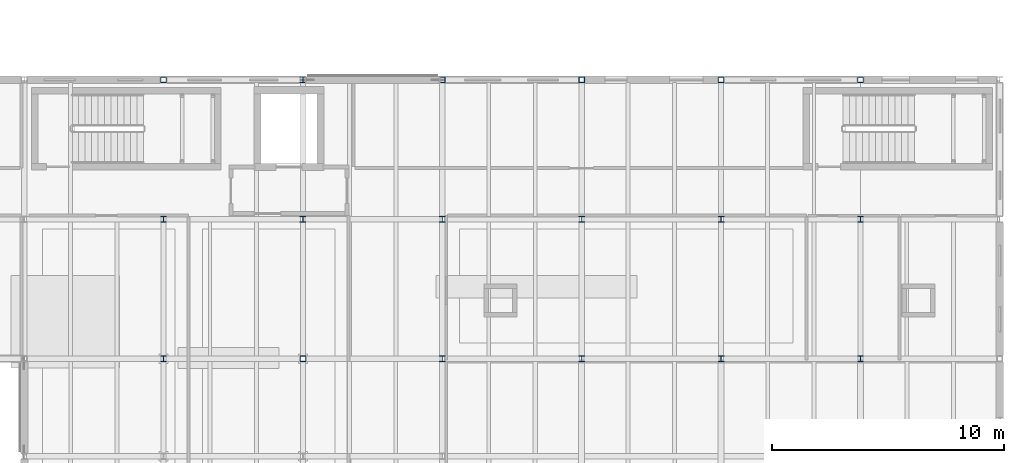
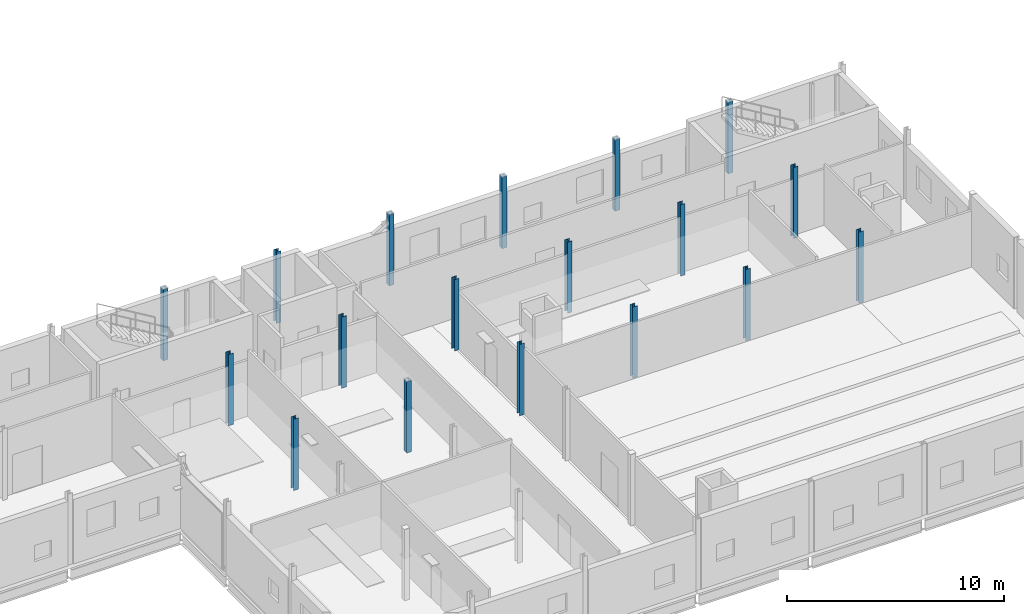
# One storey, part 13 of 92: 18 columns.
"""IFC4 building model written with IfcOpenShell, lengths in metres."""

from ifc_helpers import new_model, si_unit, direction, frame, origin, origin_2d, place, context, subcontext, project, spatial, hollow_rectangle, i_section, extrude, material, material_profile, profile_set, type_object, element, save


model = new_model("IFC4")

# Units and contexts
model_context = context("Model", 3, precision=1e-05, world=origin(), true_north=direction((0.0, 1.0)))
body_context = subcontext(model_context, "Body", "Model", "MODEL_VIEW")
ifc_project = project(units=[si_unit("LENGTHUNIT", "METRE"), si_unit("AREAUNIT", "SQUARE_METRE"), si_unit("VOLUMEUNIT", "CUBIC_METRE"), si_unit("PLANEANGLEUNIT", "RADIAN"), si_unit("MASSUNIT", "GRAM", prefix="KILO")], contexts=[model_context])

# Site, building, storey
site_placement = place(None, origin())
site = spatial("IfcSite", under=ifc_project, at=site_placement, CompositionType="ELEMENT")
building_placement = place(site_placement, origin())
building = spatial("IfcBuilding", under=site, at=building_placement, Name="Siltcreek Boulevard Central Fire Station", CompositionType="ELEMENT")
storey_placement = place(building_placement, frame((0.0, 0.0, 6.0)))
storey = spatial("IfcBuildingStorey", under=building, at=storey_placement, Name="L02", CompositionType="ELEMENT", Elevation=6.0)

# Columns
ifc_material_1 = material(Name="Structural steel ASTM A500 GrC", Category="steel")
ifc_material_profile_1 = material_profile(ifc_material_1, hollow_rectangle(XDim=0.25, YDim=0.25, WallThickness=0.012451171875, at=origin_2d()), Name="HSS250X250X12.5")
ifc_profile_set_1 = profile_set([ifc_material_profile_1], Name="Structural steel ASTM A500 GrC")
column_type_1 = type_object("IfcColumnType", Name="COL_HSS250", PredefinedType="COLUMN", material=ifc_profile_set_1)
for number, where, z_axis, x_axis, name in (
    (1, (130.199951171875, 30.0, 0.0), (0.0, 0.0, 1.0), (1.0, 0.0, 0.0), "L02 structural column COLG-L02-1302-300"),
    (2, (136.199951171875, 18.0, 0.0), (0.0, 0.0, 1.0), (1.0, 0.0, 0.0), "L02 structural column COLG-L02-1362-180"),
    (3, (142.199951171875, 30.0, 0.0), (0.0, 0.0, 1.0), (1.0, 0.0, 0.0), "L02 structural column COLG-L02-1422-300"),
    (4, (148.199951171875, 30.0, 0.0), (0.0, 0.0, 1.0), (1.0, 0.0, 0.0), "L02 structural column COLG-L02-1482-300"),
    (5, (154.199951171875, 30.0, 0.0), (0.0, 0.0, 1.0), (1.0, 0.0, 0.0), "L02 structural column COLG-L02-1542-300"),
    (6, (160.199951171875, 30.0, 0.0), (0.0, 0.0, 1.0), (1.0, 0.0, 0.0), "L02 structural column COLG-L02-1602-300"),
):
    element("IfcColumn", number, at=place(storey_placement, frame(where, z_axis=z_axis, x_axis=x_axis)), inside=storey, type_object=column_type_1, Name=name, PredefinedType="COLUMN", context=body_context, shape_type="SweptSolid", body=[
        extrude(hollow_rectangle(XDim=0.25, YDim=0.25, WallThickness=0.012451171875, at=origin_2d()), origin(), (0.0, 0.0, 1.0), 4.0),
    ])
ifc_material_2 = material(Name="Structural steel ASTM A992 Gr50", Category="steel")
ifc_material_profile_2 = material_profile(ifc_material_2, i_section(OverallWidth=0.25390625, OverallDepth=0.2529296875, WebThickness=0.008544921875, FlangeThickness=0.01416015625, at=origin_2d()), Name="W250X73")
ifc_profile_set_2 = profile_set([ifc_material_profile_2], Name="Structural steel ASTM A992 Gr50")
column_type_2 = type_object("IfcColumnType", Name="COL_W250X73", PredefinedType="COLUMN", material=ifc_profile_set_2)
for number, where, z_axis, x_axis, name in (
    (7, (130.199951171875, 18.0, 0.0), (0.0, 0.0, 1.0), (1.0, 0.0, 0.0), "L02 structural column COLG-L02-1302-180"),
    (8, (130.199951171875, 24.0, 0.0), (0.0, 0.0, 1.0), (1.0, 0.0, 0.0), "L02 structural column COLG-L02-1302-240"),
    (9, (136.199951171875, 24.0, 0.0), (0.0, 0.0, 1.0), (1.0, 0.0, 0.0), "L02 structural column COLG-L02-1362-240"),
    (10, (136.199951171875, 30.0, 0.0), (0.0, 0.0, 1.0), (1.0, 0.0, 0.0), "L02 structural column COLG-L02-1362-300"),
    (11, (142.199951171875, 18.0, 0.0), (0.0, 0.0, 1.0), (1.0, 0.0, 0.0), "L02 structural column COLG-L02-1422-180"),
    (12, (142.199951171875, 24.0, 0.0), (0.0, 0.0, 1.0), (1.0, 0.0, 0.0), "L02 structural column COLG-L02-1422-240"),
    (13, (148.199951171875, 18.0, 0.0), (0.0, 0.0, 1.0), (1.0, 0.0, 0.0), "L02 structural column COLG-L02-1482-180"),
    (14, (148.199951171875, 24.0, 0.0), (0.0, 0.0, 1.0), (1.0, 0.0, 0.0), "L02 structural column COLG-L02-1482-240"),
    (15, (154.199951171875, 18.0, 0.0), (0.0, 0.0, 1.0), (1.0, 0.0, 0.0), "L02 structural column COLG-L02-1542-180"),
    (16, (154.199951171875, 24.0, 0.0), (0.0, 0.0, 1.0), (1.0, 0.0, 0.0), "L02 structural column COLG-L02-1542-240"),
    (17, (160.199951171875, 18.0, 0.0), (0.0, 0.0, 1.0), (1.0, 0.0, 0.0), "L02 structural column COLG-L02-1602-180"),
    (18, (160.199951171875, 24.0, 0.0), (0.0, 0.0, 1.0), (1.0, 0.0, 0.0), "L02 structural column COLG-L02-1602-240"),
):
    element("IfcColumn", number, at=place(storey_placement, frame(where, z_axis=z_axis, x_axis=x_axis)), inside=storey, type_object=column_type_2, Name=name, PredefinedType="COLUMN", context=body_context, shape_type="SweptSolid", body=[
        extrude(i_section(OverallWidth=0.25390625, OverallDepth=0.2529296875, WebThickness=0.008544921875, FlangeThickness=0.01416015625, at=origin_2d()), origin(), (0.0, 0.0, 1.0), 4.0),
    ])

save(model, "model.ifc")
